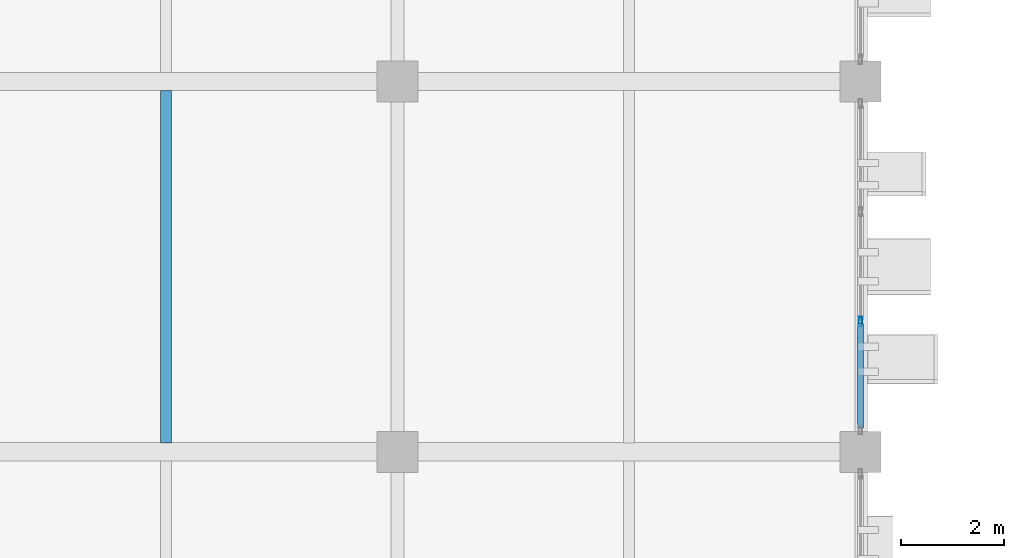
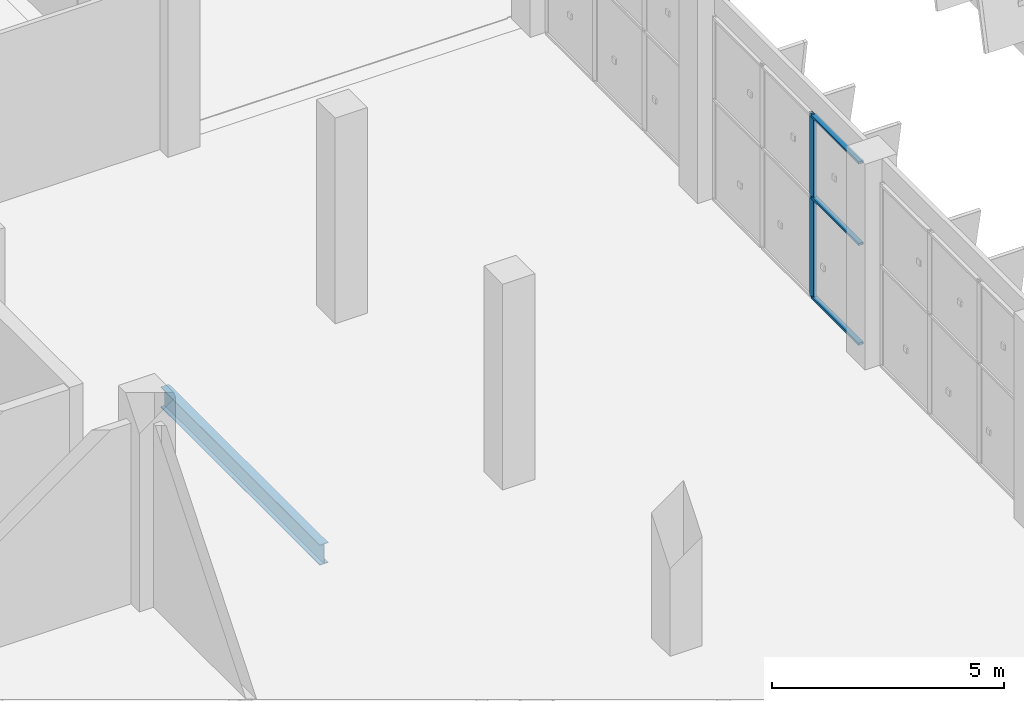
# One storey, part 59 of 137: 4 members, 1 beam, 1 element without a shape of its own.
"""IFC4 building model written with IfcOpenShell, lengths in metres."""

from ifc_helpers import new_model, si_unit, direction, frame, origin, origin_2d, place, context, subcontext, project, spatial, hollow_rectangle, i_section, extrude, material, layer, layer_set, material_profile, profile_set, type_object, element, aggregate, save


model = new_model("IFC4")

# Units and contexts
model_context = context("Model", 3, precision=1e-05, world=origin(), true_north=direction((0.0, 1.0)))
body_context = subcontext(model_context, "Body", "Model", "MODEL_VIEW")
ifc_project = project(units=[si_unit("LENGTHUNIT", "METRE"), si_unit("AREAUNIT", "SQUARE_METRE"), si_unit("VOLUMEUNIT", "CUBIC_METRE"), si_unit("PLANEANGLEUNIT", "RADIAN"), si_unit("MASSUNIT", "GRAM", prefix="KILO")], contexts=[model_context])

# Site, building, storey
site_placement = place(None, origin())
site = spatial("IfcSite", under=ifc_project, at=site_placement, CompositionType="ELEMENT")
building_placement = place(site_placement, origin())
building = spatial("IfcBuilding", under=site, at=building_placement, Name="Celestram Park Convention Centre", CompositionType="ELEMENT")
storey_placement = place(building_placement, origin())
storey = spatial("IfcBuildingStorey", under=building, at=storey_placement, Name="L00", CompositionType="ELEMENT", Elevation=0.0)

# Curtain wall, members
ifc_material_1 = material(Name="Anodised Aluminium Alloy 6063-T6", Category="aluminium")
ifc_layer = layer(ifc_material_1, 0.179931640625)
ifc_layer_set = layer_set([ifc_layer], Name="Anodised Aluminium Alloy 6063-T6")
curtain_wall_type = type_object("IfcCurtainWallType", Name="ARC-CW-640X482", PredefinedType="NOTDEFINED", material=ifc_layer_set)
curtain_wall_placement = place(storey_placement, origin())
curtain_wall = element("IfcCurtainWall", 1, at=curtain_wall_placement, inside=storey, type_object=curtain_wall_type, Name="Unitised curtain wall CU-L00-007", PredefinedType="NOTDEFINED")
ifc_material_profile_1 = material_profile(ifc_material_1, hollow_rectangle(XDim=0.06494140625, YDim=0.179931640625, WallThickness=0.00390625, at=origin_2d()), Name="ALU65X180X4")
ifc_profile_set_1 = profile_set([ifc_material_profile_1], Name="Anodised Aluminium Alloy 6063-T6")
member_type_1 = type_object("IfcMemberType", Name="ARC-CWM-150", PredefinedType="MULLION", material=ifc_profile_set_1)
member_1_placement = place(storey_placement, frame((144.0, 110.53271484375, 0.0), z_axis=(0.0, 0.0, 1.0), x_axis=(1.0, 0.0, 0.0)))
member_1 = element("IfcMember", 2, at=member_1_placement, type_object=member_type_1, Name="CW-64X48 mullion 3", PredefinedType="MULLION", context=body_context, shape_type="SweptSolid", body=[
    extrude(hollow_rectangle(XDim=0.06494140625, YDim=0.179931640625, WallThickness=0.00390625, at=origin_2d()), origin(), (0.0, 0.0, 1.0), 4.820068359375),
])
ifc_material_profile_2 = material_profile(ifc_material_1, hollow_rectangle(XDim=0.1201171875, YDim=0.06005859375, WallThickness=0.0029296875, at=origin_2d()), Name="ALU120X60X3")
ifc_profile_set_2 = profile_set([ifc_material_profile_2], Name="Anodised Aluminium Alloy 6063-T6")
member_type_2 = type_object("IfcMemberType", Name="ARC-CWT-120", PredefinedType="USERDEFINED", material=ifc_profile_set_2)
member_2_placement = place(storey_placement, frame((144.0, 110.500244140625, 0.030029296875), z_axis=(0.0, -1.0, 0.0), x_axis=(1.0, 0.0, 0.0)))
member_2 = element("IfcMember", 3, at=member_2_placement, type_object=member_type_2, Name="CW-64X48 transom 3.1", ObjectType="TRANSOM", PredefinedType="USERDEFINED", context=body_context, shape_type="SweptSolid", body=[
    extrude(hollow_rectangle(XDim=0.1201171875, YDim=0.06005859375, WallThickness=0.0029296875, at=origin_2d()), origin(), (0.0, 0.0, 1.0), 2.037353515625),
])
member_3_placement = place(storey_placement, frame((144.0, 110.500244140625, 2.64990234375), z_axis=(0.0, -1.0, 0.0), x_axis=(1.0, 0.0, 0.0)))
member_3 = element("IfcMember", 4, at=member_3_placement, type_object=member_type_2, Name="CW-64X48 transom 3.2", ObjectType="TRANSOM", PredefinedType="USERDEFINED", context=body_context, shape_type="SweptSolid", body=[
    extrude(hollow_rectangle(XDim=0.1201171875, YDim=0.06005859375, WallThickness=0.0029296875, at=origin_2d()), origin(), (0.0, 0.0, 1.0), 2.037353515625),
])
member_4_placement = place(storey_placement, frame((144.0, 110.500244140625, 4.7900390625), z_axis=(0.0, -1.0, 0.0), x_axis=(1.0, 0.0, 0.0)))
member_4 = element("IfcMember", 5, at=member_4_placement, type_object=member_type_2, Name="CW-64X48 transom 3.3", ObjectType="TRANSOM", PredefinedType="USERDEFINED", context=body_context, shape_type="SweptSolid", body=[
    extrude(hollow_rectangle(XDim=0.1201171875, YDim=0.06005859375, WallThickness=0.0029296875, at=origin_2d()), origin(), (0.0, 0.0, 1.0), 2.037353515625),
])
aggregate(curtain_wall, [member_1, member_2, member_3, member_4])

# Beam
ifc_material_2 = material(Name="Steel ASTM A992 Grade 50", Category="steel")
ifc_material_profile_3 = material_profile(ifc_material_2, i_section(OverallWidth=0.2099609375, OverallDepth=0.532958984375, WebThickness=0.01025390625, FlangeThickness=0.015625, at=origin_2d()), Name="W21X62")
ifc_profile_set_3 = profile_set([ifc_material_profile_3], Name="Steel ASTM A992 Grade 50")
beam_type = type_object("IfcBeamType", Name="STR-JST-W21X62", PredefinedType="JOIST", material=ifc_profile_set_3)
beam_placement = place(storey_placement, frame((130.5, 108.174072265625, -0.58642578125), z_axis=(0.0, 1.0, 0.0), x_axis=(-1.0, 0.0, 0.0)))
element("IfcBeam", 6, at=beam_placement, inside=storey, type_object=beam_type, Name="Secondary composite joist BG-L00-1150", PredefinedType="JOIST", context=body_context, shape_type="SweptSolid", body=[
    extrude(i_section(OverallWidth=0.2099609375, OverallDepth=0.532958984375, WebThickness=0.01025390625, FlangeThickness=0.015625, at=origin_2d()), origin(), (0.0, 0.0, 1.0), 6.851806640625),
])

save(model, "model.ifc")
